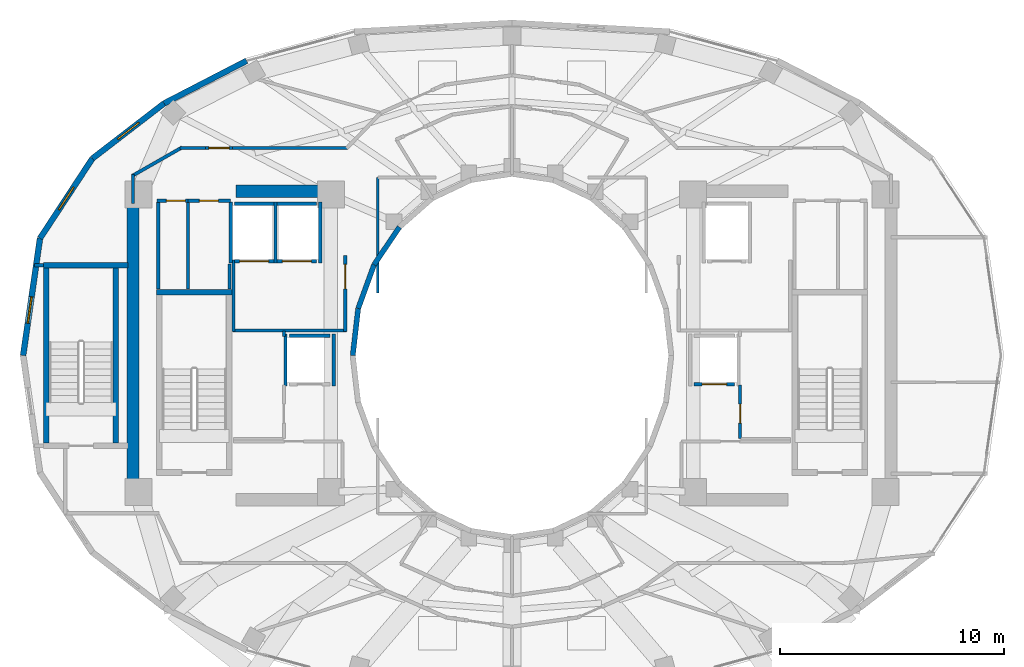
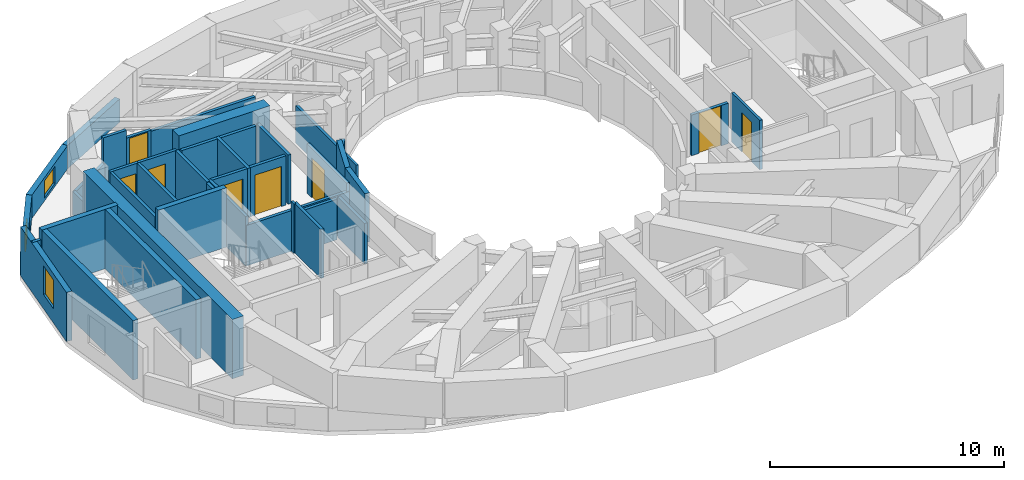
# One storey, part 13 of 19: 41 walls, 8 doors, 3 windows, 11 openings.
"""IFC4 building model written with IfcOpenShell, lengths in metres."""

from ifc_helpers import new_model, si_unit, direction, frame, frame_2d, origin, place, context, subcontext, project, spatial, rectangle, extrude, material, layer, layer_set, type_object, element, fill, save


model = new_model("IFC4")

# Units and contexts
model_context = context("Model", 3, precision=1e-05, world=origin(), true_north=direction((0.0, 1.0)))
body_context = subcontext(model_context, "Body", "Model", "MODEL_VIEW")
ifc_project = project(units=[si_unit("LENGTHUNIT", "METRE"), si_unit("AREAUNIT", "SQUARE_METRE"), si_unit("VOLUMEUNIT", "CUBIC_METRE"), si_unit("PLANEANGLEUNIT", "RADIAN"), si_unit("MASSUNIT", "GRAM", prefix="KILO")], contexts=[model_context])

# Site, building, storey
site_placement = place(None, origin())
site = spatial("IfcSite", under=ifc_project, at=site_placement, CompositionType="ELEMENT")
building_placement = place(site_placement, origin())
building = spatial("IfcBuilding", under=site, at=building_placement, Name="Solvane Sanctuary Tower", CompositionType="ELEMENT")
storey_placement = place(building_placement, frame((0.0, 0.0, 207.800048828125)))
storey = spatial("IfcBuildingStorey", under=building, at=storey_placement, Name="L63", CompositionType="ELEMENT", Elevation=207.800048828125)

# Walls
ifc_material_1 = material(Name="Concrete C50/60", Category="concrete")
ifc_layer_1 = layer(ifc_material_1, 0.550048828125, Name="Concrete C50/60")
ifc_layer_set_1 = layer_set([ifc_layer_1], Name="Concrete C50/60")
wall_type_1 = type_object("IfcWallType", Name="Wall W-CORE-550", PredefinedType="SHEAR", material=ifc_layer_set_1)
wall_1_placement = place(storey_placement, frame((15.050048828125, 17.050048828125, 0.0), z_axis=(0.0, 0.0, 1.0), x_axis=(0.0, 1.0, 0.0)))
element("IfcWall", 1, at=wall_1_placement, inside=storey, type_object=wall_type_1, Name="L63 Core Shear Wall WC-W", PredefinedType="SHEAR", context=body_context, shape_type="SweptSolid", body=[
    extrude(rectangle(XDim=12.800048828125, YDim=0.550048828125, at=frame_2d((6.39990234375, 0.0))), origin(), (0.0, 0.0, 1.0), 3.099853515625),
])
wall_2_placement = place(storey_placement, frame((19.64990234375, 30.35009765625, 0.0), z_axis=(0.0, 0.0, 1.0), x_axis=(1.0, 0.0, 0.0)))
element("IfcWall", 2, at=wall_2_placement, inside=storey, type_object=wall_type_1, Name="L63 Core Shear Wall WC-N", PredefinedType="SHEAR", context=body_context, shape_type="SweptSolid", body=[
    extrude(rectangle(XDim=4.5, YDim=0.550048828125, at=frame_2d((2.25, 0.0))), origin(), (0.0, 0.0, 1.0), 3.099853515625),
])
ifc_material_2 = material(Name="Acoustic Gypsum Partition Board")
ifc_layer_2 = layer(ifc_material_2, 0.14990234375, Name="Acoustic Gypsum Partition Board")
ifc_layer_set_2 = layer_set([ifc_layer_2], Name="Acoustic Gypsum Partition Board")
wall_type_2 = type_object("IfcWallType", Name="Wall W-CORR-150", PredefinedType="PARTITIONING", material=ifc_layer_set_2)
wall_3_placement = place(storey_placement, frame((19.52001953125, 24.1201171875, 0.0), z_axis=(0.0, 0.0, 1.0), x_axis=(1.0, 0.0, 0.0)))
element("IfcWall", 3, at=wall_3_placement, inside=storey, type_object=wall_type_2, Name="L63 West Firefighting Lobby South Wall", PredefinedType="PARTITIONING", context=body_context, shape_type="SweptSolid", body=[
    extrude(rectangle(XDim=5.080078125, YDim=0.14990234375, at=frame_2d((2.5400390625, 0.0))), origin(), (0.0, 0.0, 1.0), 2.119873046875),
])
wall_4_placement = place(storey_placement, frame((19.550048828125, 24.080078125, 0.0), z_axis=(0.0, 0.0, 1.0), x_axis=(0.0, 1.0, 0.0)))
element("IfcWall", 4, at=wall_4_placement, inside=storey, type_object=wall_type_2, Name="L63 West Firefighting Lobby West Wall", PredefinedType="PARTITIONING", context=body_context, shape_type="SweptSolid", body=[
    extrude(rectangle(XDim=3.199951171875, YDim=0.14990234375, at=frame_2d((1.60009765625, 0.0))), origin(), (0.0, 0.0, 1.0), 2.574951171875),
])

# Wall, opening, door
wall_5_placement = place(storey_placement, frame((24.550048828125, 24.080078125, 0.0), z_axis=(0.0, 0.0, 1.0), x_axis=(0.0, 1.0, 0.0)))
wall_5 = element("IfcWall", 5, at=wall_5_placement, inside=storey, type_object=wall_type_2, Name="L63 West Firefighting Lobby East Wall", PredefinedType="PARTITIONING", context=body_context, shape_type="SweptSolid", body=[
    extrude(rectangle(XDim=3.39990234375, YDim=0.14990234375, at=frame_2d((1.699951171875, 0.0))), origin(), (0.0, 0.0, 1.0), 2.574951171875),
])
opening_1_placement = place(wall_5_placement, frame((1.893798828125, 0.0, 0.0)))
opening_1 = element("IfcOpeningElement", 6, at=opening_1_placement, cuts=wall_5, Name="Opening D-L63-04", PredefinedType="OPENING", context=body_context, shape_type="SweptSolid", body=[
    extrude(rectangle(XDim=1.10009765625, YDim=2.10009765625, at=frame_2d((0.550048828125, 1.050048828125))), frame((0.0, 0.0849609375, 0.0), z_axis=(0.0, -1.0, 0.0), x_axis=(1.0, 0.0, 0.0)), (0.0, 0.0, 1.0), 0.169921875),
])
ifc_material_3 = material(Name="Architectural Stainless Steel 316", Category="steel")
door_type_1 = type_object("IfcDoorType", Name="Door D-FFL", OperationType="NOTDEFINED", PredefinedType="DOOR", material=ifc_material_3)
door_1_placement = place(opening_1_placement, origin())
door_1 = element("IfcDoor", 7, at=door_1_placement, inside=storey, type_object=door_type_1, Name="L63 West Firefighting Lobby Fire Door", OperationType="SINGLE_SWING_RIGHT", OverallHeight=2.10009765625, OverallWidth=1.10009765625, PredefinedType="DOOR", context=body_context, shape_type="SweptSolid", body=[
    extrude(rectangle(XDim=1.10009765625, YDim=2.10009765625, at=frame_2d((0.550048828125, 1.050048828125))), frame((0.0, 0.02490234375, 0.0), z_axis=(0.0, -1.0, 0.0), x_axis=(1.0, 0.0, 0.0)), (0.0, 0.0, 1.0), 0.050048828125),
])
fill(opening_1, door_1)

# Walls
wall_6_placement = place(storey_placement, frame((10.639892578125, 27.030029296875, 0.0), z_axis=(0.0, 0.0, 1.0), x_axis=(1.0, 0.0, 0.0)))
element("IfcWall", 8, at=wall_6_placement, inside=storey, type_object=wall_type_2, Name="L63 NW Corner Closer 1", PredefinedType="PARTITIONING", context=body_context, shape_type="SweptSolid", body=[
    extrude(rectangle(XDim=0.400146484375, YDim=0.14990234375, at=frame_2d((0.2001953125, 0.0))), origin(), (0.0, 0.0, 1.0), 2.574951171875),
])
wall_7_placement = place(storey_placement, frame((15.050048828125, 29.800048828125, 0.0), z_axis=(0.0, 0.0, 1.0), x_axis=(0.0, 1.0, 0.0)))
element("IfcWall", 9, at=wall_7_placement, inside=storey, type_object=wall_type_2, Name="L63 NW Corner Closer 2", PredefinedType="PARTITIONING", context=body_context, shape_type="SweptSolid", body=[
    extrude(rectangle(XDim=1.2900390625, YDim=0.14990234375, at=frame_2d((0.64501953125, 0.0))), origin(), (0.0, 0.0, 1.0), 1.219970703125),
])
wall_8_placement = place(storey_placement, frame((17.14990234375, 32.280029296875, 0.0), z_axis=(0.0, 0.0, 1.0), x_axis=(1.0, 0.0, 0.0)))
element("IfcWall", 10, at=wall_8_placement, inside=storey, type_object=wall_type_2, Name="L63 NW Corner Corridor Wall", PredefinedType="PARTITIONING", context=body_context, shape_type="SweptSolid", body=[
    extrude(rectangle(XDim=1.14013671875, YDim=0.14990234375, at=frame_2d((0.570068359375, 0.0))), origin(), (0.0, 0.0, 1.0), 2.574951171875),
])

# Wall, opening, door
wall_9_placement = place(storey_placement, frame((18.2900390625, 32.280029296875, 0.0), z_axis=(0.0, 0.0, 1.0), x_axis=(1.0, 0.0, 0.0)))
wall_9 = element("IfcWall", 11, at=wall_9_placement, inside=storey, type_object=wall_type_2, Name="L63 NW Corner Corridor Wall", PredefinedType="PARTITIONING", context=body_context, shape_type="SweptSolid", body=[
    extrude(rectangle(XDim=1.219970703125, YDim=0.14990234375, at=frame_2d((0.60986328125, 0.0))), origin(), (0.0, 0.0, 1.0), 2.159912109375),
])
opening_2_placement = place(wall_9_placement, frame((0.159912109375, 0.0, 0.0)))
opening_2 = element("IfcOpeningElement", 12, at=opening_2_placement, cuts=wall_9, Name="Opening D-L63-21", PredefinedType="OPENING", context=body_context, shape_type="SweptSolid", body=[
    extrude(rectangle(XDim=0.89990234375, YDim=2.10009765625, at=frame_2d((0.449951171875, 1.050048828125))), frame((0.0, 0.0849609375, 0.0), z_axis=(0.0, -1.0, 0.0), x_axis=(1.0, 0.0, 0.0)), (0.0, 0.0, 1.0), 0.169921875),
])
ifc_material_4 = material(Name="Engineered Tropical Hardwood", Category="wood")
door_type_2 = type_object("IfcDoorType", Name="Door D-WET-900", OperationType="NOTDEFINED", PredefinedType="DOOR", material=ifc_material_4)
door_2_placement = place(opening_2_placement, origin())
door_2 = element("IfcDoor", 13, at=door_2_placement, inside=storey, type_object=door_type_2, Name="L63 NW Corner Salon Door", OperationType="SINGLE_SWING_LEFT", OverallHeight=2.10009765625, OverallWidth=0.89990234375, PredefinedType="DOOR", context=body_context, shape_type="SweptSolid", body=[
    extrude(rectangle(XDim=0.89990234375, YDim=2.10009765625, at=frame_2d((0.449951171875, 1.050048828125))), frame((0.0, 0.02490234375, 0.0), z_axis=(0.0, -1.0, 0.0), x_axis=(1.0, 0.0, 0.0)), (0.0, 0.0, 1.0), 0.050048828125),
])
fill(opening_2, door_2)

# Walls
wall_10_placement = place(storey_placement, frame((19.510009765625, 32.280029296875, 0.0), z_axis=(0.0, 0.0, 1.0), x_axis=(1.0, 0.0, 0.0)))
element("IfcWall", 14, at=wall_10_placement, inside=storey, type_object=wall_type_2, Name="L63 NW Corner Corridor Wall", PredefinedType="PARTITIONING", context=body_context, shape_type="SweptSolid", body=[
    extrude(rectangle(XDim=5.159912109375, YDim=0.14990234375, at=frame_2d((2.580078125, 0.0))), origin(), (0.0, 0.0, 1.0), 2.095947265625),
])
wall_11_placement = place(storey_placement, frame((17.243408203125, 32.3046875, 0.0), z_axis=(0.0, 0.0, 1.0), x_axis=(-0.867991349648, -0.496579315857, 0.0)))
element("IfcWall", 15, at=wall_11_placement, inside=storey, type_object=wall_type_2, Name="L63 NW Corner Wing Wall", PredefinedType="PARTITIONING", context=body_context, shape_type="SweptSolid", body=[
    extrude(rectangle(XDim=2.56689453125, YDim=0.14990234375, at=frame_2d((1.283447265625, 0.0))), origin(), (0.0, 0.0, 1.0), 1.219970703125),
])
ifc_material_5 = material(Name="Precast concrete C40/50", Category="concrete")
ifc_layer_3 = layer(ifc_material_5, 0.260009765625, Name="Precast concrete C40/50")
ifc_layer_set_3 = layer_set([ifc_layer_3], Name="Precast concrete C40/50")
wall_type_3 = type_object("IfcWallType", Name="Wall W-EXT-250", PredefinedType="STANDARD", material=ifc_layer_set_3)
wall_12_placement = place(storey_placement, frame((20.1298828125, 36.177001953125, 0.0), z_axis=(0.0, 0.0, 1.0), x_axis=(-0.88849146803, -0.458893137057, 0.0)))
element("IfcWall", 16, at=wall_12_placement, inside=storey, type_object=wall_type_3, Name="L63 Ceramic-Printed Facade Wall 08", PredefinedType="STANDARD", context=body_context, shape_type="SweptSolid", body=[
    extrude(rectangle(XDim=4.150390625, YDim=0.260009765625, at=frame_2d((2.0751953125, 0.0))), origin(), (0.0, 0.0, 1.0), 1.219970703125),
])

# Wall, opening, window
wall_13_placement = place(storey_placement, frame((16.4423828125, 34.2724609375, 0.0), z_axis=(0.0, 0.0, 1.0), x_axis=(-0.792713817907, -0.609593965603, 0.0)))
wall_13 = element("IfcWall", 17, at=wall_13_placement, inside=storey, type_object=wall_type_3, Name="L63 Ceramic-Printed Facade Wall 09", PredefinedType="STANDARD", context=body_context, shape_type="SweptSolid", body=[
    extrude(rectangle(XDim=4.041015625, YDim=0.260009765625, at=frame_2d((2.0205078125, 0.0))), origin(), (0.0, 0.0, 1.0), 1.219970703125),
])
opening_3_placement = place(wall_13_placement, frame((1.42041015625, 0.0, 0.14990234375)))
opening_3 = element("IfcOpeningElement", 18, at=opening_3_placement, cuts=wall_13, Name="Opening WN-OPER-1200", PredefinedType="OPENING", context=body_context, shape_type="SweptSolid", body=[
    extrude(rectangle(XDim=1.199951171875, YDim=0.89990234375, at=frame_2d((0.60009765625, 0.449951171875))), frame((0.0, 0.139892578125, 0.0), z_axis=(0.0, -1.0, 0.0), x_axis=(1.0, 0.0, 0.0)), (0.0, 0.0, 1.0), 0.280029296875),
])
ifc_material_6 = material(Name="Dark Ceramic-Fritted Low-E Glass", Category="glass")
window_type = type_object("IfcWindowType", Name="Window WN-OPER-1200", PartitioningType="SINGLE_PANEL", PredefinedType="WINDOW", material=ifc_material_6)
window_1_placement = place(opening_3_placement, origin())
window_1 = element("IfcWindow", 19, at=window_1_placement, inside=storey, type_object=window_type, Name="L63 Operable Facade Window 09", OverallHeight=0.89990234375, OverallWidth=1.199951171875, PartitioningType="SINGLE_PANEL", PredefinedType="WINDOW", context=body_context, shape_type="SweptSolid", body=[
    extrude(rectangle(XDim=1.199951171875, YDim=0.89990234375, at=frame_2d((0.60009765625, 0.449951171875))), frame((0.0, 0.030029296875, 0.0), z_axis=(0.0, -1.0, 0.0), x_axis=(1.0, 0.0, 0.0)), (0.0, 0.0, 1.0), 0.06005859375),
])
fill(opening_3, window_1)

wall_14_placement = place(storey_placement, frame((13.239013671875, 31.80908203125, 0.0), z_axis=(0.0, 0.0, 1.0), x_axis=(-0.548776305075, -0.835969238064, 0.0)))
wall_14 = element("IfcWall", 20, at=wall_14_placement, inside=storey, type_object=wall_type_3, Name="L63 Ceramic-Printed Facade Wall 10", PredefinedType="STANDARD", context=body_context, shape_type="SweptSolid", body=[
    extrude(rectangle(XDim=4.270751953125, YDim=0.260009765625, at=frame_2d((2.13525390625, 0.0))), origin(), (0.0, 0.0, 1.0), 1.219970703125),
])
opening_4_placement = place(wall_14_placement, frame((1.535400390625, 0.0, 0.14990234375)))
opening_4 = element("IfcOpeningElement", 21, at=opening_4_placement, cuts=wall_14, Name="Opening WN-OPER-1200", PredefinedType="OPENING", context=body_context, shape_type="SweptSolid", body=[
    extrude(rectangle(XDim=1.199951171875, YDim=0.89990234375, at=frame_2d((0.60009765625, 0.449951171875))), frame((0.0, 0.139892578125, 0.0), z_axis=(0.0, -1.0, 0.0), x_axis=(1.0, 0.0, 0.0)), (0.0, 0.0, 1.0), 0.280029296875),
])
window_2_placement = place(opening_4_placement, origin())
window_2 = element("IfcWindow", 22, at=window_2_placement, inside=storey, type_object=window_type, Name="L63 Operable Facade Window 10", OverallHeight=0.89990234375, OverallWidth=1.199951171875, PartitioningType="SINGLE_PANEL", PredefinedType="WINDOW", context=body_context, shape_type="SweptSolid", body=[
    extrude(rectangle(XDim=1.199951171875, YDim=0.89990234375, at=frame_2d((0.60009765625, 0.449951171875))), frame((0.0, 0.030029296875, 0.0), z_axis=(0.0, -1.0, 0.0), x_axis=(1.0, 0.0, 0.0)), (0.0, 0.0, 1.0), 0.06005859375),
])
fill(opening_4, window_2)

wall_15_placement = place(storey_placement, frame((10.895263671875, 28.23876953125, 0.0), z_axis=(0.0, 0.0, 1.0), x_axis=(-0.142712754019, -0.989764148593, 0.0)))
wall_15 = element("IfcWall", 23, at=wall_15_placement, inside=storey, type_object=wall_type_3, Name="L63 Ceramic-Printed Facade Wall 11", PredefinedType="STANDARD", context=body_context, shape_type="SweptSolid", body=[
    extrude(rectangle(XDim=5.29296875, YDim=0.260009765625, at=frame_2d((2.646484375, 0.0))), origin(), (0.0, 0.0, 1.0), 2.570068359375),
])
opening_5_placement = place(wall_15_placement, frame((2.635009765625, 0.0, 0.75)))
opening_5 = element("IfcOpeningElement", 24, at=opening_5_placement, cuts=wall_15, Name="Opening WN-OPER-1200", PredefinedType="OPENING", context=body_context, shape_type="SweptSolid", body=[
    extrude(rectangle(XDim=1.199951171875, YDim=1.5, at=frame_2d((0.60009765625, 0.75))), frame((0.0, 0.139892578125, 0.0), z_axis=(0.0, -1.0, 0.0), x_axis=(1.0, 0.0, 0.0)), (0.0, 0.0, 1.0), 0.280029296875),
])
window_3_placement = place(opening_5_placement, origin())
window_3 = element("IfcWindow", 25, at=window_3_placement, inside=storey, type_object=window_type, Name="L63 Operable Facade Window 11", OverallHeight=1.5, OverallWidth=1.199951171875, PartitioningType="SINGLE_PANEL", PredefinedType="WINDOW", context=body_context, shape_type="SweptSolid", body=[
    extrude(rectangle(XDim=1.199951171875, YDim=1.5, at=frame_2d((0.60009765625, 0.75))), frame((0.0, 0.030029296875, 0.0), z_axis=(0.0, -1.0, 0.0), x_axis=(1.0, 0.0, 0.0)), (0.0, 0.0, 1.0), 0.06005859375),
])
fill(opening_5, window_3)

# Walls
ifc_layer_4 = layer(ifc_material_5, 0.22998046875, Name="Precast concrete C40/50")
ifc_layer_set_4 = layer_set([ifc_layer_4], Name="Precast concrete C40/50")
wall_type_4 = type_object("IfcWallType", Name="Wall W-EXT-SP220", PredefinedType="STANDARD", material=ifc_layer_set_4)
wall_16_placement = place(storey_placement, frame((26.96533203125, 28.74169921875, 0.0), z_axis=(0.0, 0.0, 1.0), x_axis=(-0.558197800898, -0.829707909492, 0.0)))
element("IfcWall", 26, at=wall_16_placement, inside=storey, type_object=wall_type_4, Name="L63 Central Light-Well Wall 09", PredefinedType="STANDARD", context=body_context, shape_type="SweptSolid", body=[
    extrude(rectangle(XDim=2.02685546875, YDim=0.22998046875, at=frame_2d((1.013427734375, 0.0))), origin(), (0.0, 0.0, 1.0), 1.219970703125),
])
wall_17_placement = place(storey_placement, frame((25.833984375, 27.06005859375, 0.0), z_axis=(0.0, 0.0, 1.0), x_axis=(-0.341423187295, -0.93990968033, 0.0)))
element("IfcWall", 27, at=wall_17_placement, inside=storey, type_object=wall_type_4, Name="L63 Central Light-Well Wall 10", PredefinedType="STANDARD", context=body_context, shape_type="SweptSolid", body=[
    extrude(rectangle(XDim=2.083740234375, YDim=0.22998046875, at=frame_2d((1.0419921875, 0.0))), origin(), (0.0, 0.0, 1.0), 2.56005859375),
])
wall_18_placement = place(storey_placement, frame((25.12255859375, 25.1015625, 0.0), z_axis=(0.0, 0.0, 1.0), x_axis=(-0.114711713601, -0.993398823617, 0.0)))
element("IfcWall", 28, at=wall_18_placement, inside=storey, type_object=wall_type_4, Name="L63 Central Light-Well Wall 11", PredefinedType="STANDARD", context=body_context, shape_type="SweptSolid", body=[
    extrude(rectangle(XDim=2.115478515625, YDim=0.22998046875, at=frame_2d((1.0576171875, 0.0))), origin(), (0.0, 0.0, 1.0), 2.56005859375),
])
ifc_layer_5 = layer(ifc_material_2, 0.125, Name="Acoustic Gypsum Partition Board")
ifc_layer_set_5 = layer_set([ifc_layer_5], Name="Acoustic Gypsum Partition Board")
wall_type_5 = type_object("IfcWallType", Name="Wall W-PART-125", PredefinedType="PARTITIONING", material=ifc_layer_set_5)
wall_19_placement = place(storey_placement, frame((21.800048828125, 23.85009765625, 0.0), z_axis=(0.0, 0.0, 1.0), x_axis=(0.0, 1.0, 0.0)))
element("IfcWall", 29, at=wall_19_placement, inside=storey, type_object=wall_type_5, Name="L63 Reclaimed Room Dividing Wall PMW", PredefinedType="PARTITIONING", context=body_context, shape_type="SweptSolid", body=[
    extrude(rectangle(XDim=0.25, YDim=0.125, at=frame_2d((0.125, 0.0))), origin(), (0.0, 0.0, 1.0), 2.574951171875),
])

# Wall, opening, door
wall_20_placement = place(storey_placement, frame((42.199951171875, 19.280029296875, 0.0), z_axis=(0.0, 0.0, 1.0), x_axis=(0.0, 1.0, 0.0)))
wall_20 = element("IfcWall", 30, at=wall_20_placement, inside=storey, type_object=wall_type_5, Name="L63 Reclaimed Room Partition PME", PredefinedType="PARTITIONING", context=body_context, shape_type="SweptSolid", body=[
    extrude(rectangle(XDim=2.39990234375, YDim=0.125, at=frame_2d((1.199951171875, 0.0))), origin(), (0.0, 0.0, 1.0), 2.574951171875),
])
opening_6_placement = place(wall_20_placement, frame((0.699951171875, 0.0, 0.0)))
opening_6 = element("IfcOpeningElement", 31, at=opening_6_placement, cuts=wall_20, Name="Opening D-L63-09", PredefinedType="OPENING", context=body_context, shape_type="SweptSolid", body=[
    extrude(rectangle(XDim=0.85009765625, YDim=2.050048828125, at=frame_2d((0.425048828125, 1.02490234375))), frame((0.0, 0.072509765625, 0.0), z_axis=(0.0, -1.0, 0.0), x_axis=(1.0, 0.0, 0.0)), (0.0, 0.0, 1.0), 0.14501953125),
])
door_type_3 = type_object("IfcDoorType", Name="Door D-RISER", OperationType="NOTDEFINED", PredefinedType="DOOR", material=ifc_material_3)
door_3_placement = place(opening_6_placement, origin())
door_3 = element("IfcDoor", 32, at=door_3_placement, inside=storey, type_object=door_type_3, Name="L63 Reclaimed Room Door PME-1", OperationType="SINGLE_SWING_LEFT", OverallHeight=2.050048828125, OverallWidth=0.85009765625, PredefinedType="DOOR", context=body_context, shape_type="SweptSolid", body=[
    extrude(rectangle(XDim=0.85009765625, YDim=2.050048828125, at=frame_2d((0.425048828125, 1.02490234375))), frame((0.0, 0.02490234375, 0.0), z_axis=(0.0, -1.0, 0.0), x_axis=(1.0, 0.0, 0.0)), (0.0, 0.0, 1.0), 0.050048828125),
])
fill(opening_6, door_3)

# Walls
wall_21_placement = place(storey_placement, frame((26.0, 25.800048828125, 0.0), z_axis=(0.0, 0.0, 1.0), x_axis=(0.0, 1.0, 0.0)))
element("IfcWall", 33, at=wall_21_placement, inside=storey, type_object=wall_type_5, Name="L63 Bridge Alcove Wall 1", PredefinedType="PARTITIONING", context=body_context, shape_type="SweptSolid", body=[
    extrude(rectangle(XDim=5.159912109375, YDim=0.125, at=frame_2d((2.580078125, 0.0))), origin(), (0.0, 0.0, 1.0), 1.951904296875),
])
ifc_layer_6 = layer(ifc_material_1, 0.14990234375, Name="Concrete C50/60")
ifc_layer_set_6 = layer_set([ifc_layer_6], Name="Concrete C50/60")
wall_type_6 = type_object("IfcWallType", Name="Wall W-SHAFT-150", PredefinedType="SOLIDWALL", material=ifc_layer_set_6)
wall_22_placement = place(storey_placement, frame((22.0400390625, 23.8798828125, 0.0), z_axis=(0.0, 0.0, 1.0), x_axis=(1.0, 0.0, 0.0)))
element("IfcWall", 34, at=wall_22_placement, inside=storey, type_object=wall_type_6, Name="L63 PH-1 Lift Shaft Wall B", PredefinedType="SOLIDWALL", context=body_context, shape_type="SweptSolid", body=[
    extrude(rectangle(XDim=1.820068359375, YDim=0.14990234375, at=frame_2d((0.91015625, 0.0))), origin(), (0.0, 0.0, 1.0), 2.119873046875),
])
wall_23_placement = place(storey_placement, frame((21.8701171875, 21.639892578125, 0.0), z_axis=(0.0, 0.0, 1.0), x_axis=(0.0, 1.0, 0.0)))
element("IfcWall", 35, at=wall_23_placement, inside=storey, type_object=wall_type_6, Name="L63 PH-1 Lift Shaft Wall S1", PredefinedType="SOLIDWALL", context=body_context, shape_type="SweptSolid", body=[
    extrude(rectangle(XDim=2.320068359375, YDim=0.14990234375, at=frame_2d((1.16015625, 0.0))), origin(), (0.0, 0.0, 1.0), 2.574951171875),
])
wall_24_placement = place(storey_placement, frame((24.030029296875, 21.639892578125, 0.0), z_axis=(0.0, 0.0, 1.0), x_axis=(0.0, 1.0, 0.0)))
element("IfcWall", 36, at=wall_24_placement, inside=storey, type_object=wall_type_6, Name="L63 PH-1 Lift Shaft Wall S2", PredefinedType="SOLIDWALL", context=body_context, shape_type="SweptSolid", body=[
    extrude(rectangle(XDim=2.320068359375, YDim=0.14990234375, at=frame_2d((1.16015625, 0.0))), origin(), (0.0, 0.0, 1.0), 2.119873046875),
])

# Wall, opening, door
wall_25_placement = place(storey_placement, frame((40.139892578125, 21.719970703125, 0.0), z_axis=(0.0, 0.0, 1.0), x_axis=(1.0, 0.0, 0.0)))
wall_25 = element("IfcWall", 37, at=wall_25_placement, inside=storey, type_object=wall_type_6, Name="L63 PH-2 Lift Shaft Wall F", PredefinedType="SOLIDWALL", context=body_context, shape_type="SweptSolid", body=[
    extrude(rectangle(XDim=1.820068359375, YDim=0.14990234375, at=frame_2d((0.91015625, 0.0))), origin(), (0.0, 0.0, 1.0), 2.119873046875),
])
opening_7_placement = place(wall_25_placement, frame((0.360107421875, 0.0, 0.0)))
opening_7 = element("IfcOpeningElement", 38, at=opening_7_placement, cuts=wall_25, Name="Opening LD-L63-02", PredefinedType="OPENING", context=body_context, shape_type="SweptSolid", body=[
    extrude(rectangle(XDim=1.10009765625, YDim=2.10009765625, at=frame_2d((0.550048828125, 1.050048828125))), frame((0.0, 0.0849609375, 0.0), z_axis=(0.0, -1.0, 0.0), x_axis=(1.0, 0.0, 0.0)), (0.0, 0.0, 1.0), 0.169921875),
])
door_type_4 = type_object("IfcDoorType", Name="Door LD-PASS-1100", OperationType="NOTDEFINED", PredefinedType="DOOR", material=ifc_material_3)
door_4_placement = place(opening_7_placement, origin())
door_4 = element("IfcDoor", 39, at=door_4_placement, inside=storey, type_object=door_type_4, Name="L63 PH-2 Lift Landing Door", OperationType="DOUBLE_DOOR_SLIDING", OverallHeight=2.10009765625, OverallWidth=1.10009765625, PredefinedType="DOOR", context=body_context, shape_type="SweptSolid", body=[
    extrude(rectangle(XDim=1.10009765625, YDim=2.10009765625, at=frame_2d((0.550048828125, 1.050048828125))), frame((0.0, 0.02490234375, 0.0), z_axis=(0.0, -1.0, 0.0), x_axis=(1.0, 0.0, 0.0)), (0.0, 0.0, 1.0), 0.050048828125),
])
fill(opening_7, door_4)

wall_26_placement = place(storey_placement, frame((19.590087890625, 27.219970703125, 0.0), z_axis=(0.0, 0.0, 1.0), x_axis=(1.0, 0.0, 0.0)))
wall_26 = element("IfcWall", 40, at=wall_26_placement, inside=storey, type_object=wall_type_6, Name="L63 FFL-1 Lift Shaft Wall F", PredefinedType="SOLIDWALL", context=body_context, shape_type="SweptSolid", body=[
    extrude(rectangle(XDim=1.760009765625, YDim=0.14990234375, at=frame_2d((0.8798828125, 0.0))), origin(), (0.0, 0.0, 1.0), 2.574951171875),
])
opening_8_placement = place(wall_26_placement, frame((0.22998046875, 0.0, 0.0)))
opening_8 = element("IfcOpeningElement", 41, at=opening_8_placement, cuts=wall_26, Name="Opening LD-L63-03", PredefinedType="OPENING", context=body_context, shape_type="SweptSolid", body=[
    extrude(rectangle(XDim=1.300048828125, YDim=2.10009765625, at=frame_2d((0.64990234375, 1.050048828125))), frame((0.0, 0.0849609375, 0.0), z_axis=(0.0, -1.0, 0.0), x_axis=(1.0, 0.0, 0.0)), (0.0, 0.0, 1.0), 0.169921875),
])
door_type_5 = type_object("IfcDoorType", Name="Door LD-FFL-1300", OperationType="NOTDEFINED", PredefinedType="DOOR", material=ifc_material_3)
door_5_placement = place(opening_8_placement, origin())
door_5 = element("IfcDoor", 42, at=door_5_placement, inside=storey, type_object=door_type_5, Name="L63 FFL-1 Lift Landing Door", OperationType="DOUBLE_DOOR_SLIDING", OverallHeight=2.10009765625, OverallWidth=1.300048828125, PredefinedType="DOOR", context=body_context, shape_type="SweptSolid", body=[
    extrude(rectangle(XDim=1.300048828125, YDim=2.10009765625, at=frame_2d((0.64990234375, 1.050048828125))), frame((0.0, 0.02490234375, 0.0), z_axis=(0.0, -1.0, 0.0), x_axis=(1.0, 0.0, 0.0)), (0.0, 0.0, 1.0), 0.050048828125),
])
fill(opening_8, door_5)

# Walls
wall_27_placement = place(storey_placement, frame((19.590087890625, 29.780029296875, 0.0), z_axis=(0.0, 0.0, 1.0), x_axis=(1.0, 0.0, 0.0)))
element("IfcWall", 43, at=wall_27_placement, inside=storey, type_object=wall_type_6, Name="L63 FFL-1 Lift Shaft Wall B", PredefinedType="SOLIDWALL", context=body_context, shape_type="SweptSolid", body=[
    extrude(rectangle(XDim=1.760009765625, YDim=0.14990234375, at=frame_2d((0.8798828125, 0.0))), origin(), (0.0, 0.0, 1.0), 2.574951171875),
])
for number, where, z_axis, x_axis, name in (
    (44, (19.419921875, 27.139892578125, 0.0), (0.0, 0.0, 1.0), (0.0, 1.0, 0.0), "L63 FFL-1 Lift Shaft Wall S1"),
    (45, (21.425048828125, 27.139892578125, 0.0), (0.0, 0.0, 1.0), (0.0, 1.0, 0.0), "L63 FFL-1 Lift Shaft Wall S2"),
):
    element("IfcWall", number, at=place(storey_placement, frame(where, z_axis=z_axis, x_axis=x_axis)), inside=storey, type_object=wall_type_6, Name=name, PredefinedType="SOLIDWALL", context=body_context, shape_type="SweptSolid", body=[
        extrude(rectangle(XDim=2.72021484375, YDim=0.14990234375, at=frame_2d((1.360107421875, 0.0))), origin(), (0.0, 0.0, 1.0), 2.574951171875),
    ])

# Wall, opening, door
wall_28_placement = place(storey_placement, frame((21.5, 27.219970703125, 0.0), z_axis=(0.0, 0.0, 1.0), x_axis=(1.0, 0.0, 0.0)))
wall_28 = element("IfcWall", 46, at=wall_28_placement, inside=storey, type_object=wall_type_6, Name="L63 SVL-1 Lift Shaft Wall F", PredefinedType="SOLIDWALL", context=body_context, shape_type="SweptSolid", body=[
    extrude(rectangle(XDim=1.760009765625, YDim=0.14990234375, at=frame_2d((0.8798828125, 0.0))), origin(), (0.0, 0.0, 1.0), 2.574951171875),
])
opening_9_placement = place(wall_28_placement, frame((0.22998046875, 0.0, 0.0)))
opening_9 = element("IfcOpeningElement", 47, at=opening_9_placement, cuts=wall_28, Name="Opening LD-L63-04", PredefinedType="OPENING", context=body_context, shape_type="SweptSolid", body=[
    extrude(rectangle(XDim=1.300048828125, YDim=2.10009765625, at=frame_2d((0.64990234375, 1.050048828125))), frame((0.0, 0.0849609375, 0.0), z_axis=(0.0, -1.0, 0.0), x_axis=(1.0, 0.0, 0.0)), (0.0, 0.0, 1.0), 0.169921875),
])
door_6_placement = place(opening_9_placement, origin())
door_6 = element("IfcDoor", 48, at=door_6_placement, inside=storey, type_object=door_type_5, Name="L63 SVL-1 Lift Landing Door", OperationType="DOUBLE_DOOR_SLIDING", OverallHeight=2.10009765625, OverallWidth=1.300048828125, PredefinedType="DOOR", context=body_context, shape_type="SweptSolid", body=[
    extrude(rectangle(XDim=1.300048828125, YDim=2.10009765625, at=frame_2d((0.64990234375, 1.050048828125))), frame((0.0, 0.02490234375, 0.0), z_axis=(0.0, -1.0, 0.0), x_axis=(1.0, 0.0, 0.0)), (0.0, 0.0, 1.0), 0.050048828125),
])
fill(opening_9, door_6)

# Walls
wall_29_placement = place(storey_placement, frame((21.5, 29.780029296875, 0.0), z_axis=(0.0, 0.0, 1.0), x_axis=(1.0, 0.0, 0.0)))
element("IfcWall", 49, at=wall_29_placement, inside=storey, type_object=wall_type_6, Name="L63 SVL-1 Lift Shaft Wall B", PredefinedType="SOLIDWALL", context=body_context, shape_type="SweptSolid", body=[
    extrude(rectangle(XDim=1.760009765625, YDim=0.14990234375, at=frame_2d((0.8798828125, 0.0))), origin(), (0.0, 0.0, 1.0), 2.574951171875),
])
wall_30_placement = place(storey_placement, frame((23.429931640625, 27.139892578125, 0.0), z_axis=(0.0, 0.0, 1.0), x_axis=(0.0, 1.0, 0.0)))
element("IfcWall", 50, at=wall_30_placement, inside=storey, type_object=wall_type_6, Name="L63 SVL-1 Lift Shaft Wall S2", PredefinedType="SOLIDWALL", context=body_context, shape_type="SweptSolid", body=[
    extrude(rectangle(XDim=2.72021484375, YDim=0.14990234375, at=frame_2d((1.360107421875, 0.0))), origin(), (0.0, 0.0, 1.0), 2.574951171875),
])
ifc_layer_7 = layer(ifc_material_1, 0.25, Name="Concrete C50/60")
ifc_layer_set_7 = layer_set([ifc_layer_7], Name="Concrete C50/60")
wall_type_7 = type_object("IfcWallType", Name="Wall W-SHAFT-250", PredefinedType="SOLIDWALL", material=ifc_layer_set_7)
wall_31_placement = place(storey_placement, frame((16.10498046875, 25.830078125, 0.0), z_axis=(0.0, 0.0, 1.0), x_axis=(1.0, 0.0, 0.0)))
element("IfcWall", 51, at=wall_31_placement, inside=storey, type_object=wall_type_7, Name="L63 ST-1 Load-Bearing Shaft Wall N", PredefinedType="SOLIDWALL", context=body_context, shape_type="SweptSolid", body=[
    extrude(rectangle(XDim=3.3701171875, YDim=0.25, at=frame_2d((1.68505859375, 0.0))), origin(), (0.0, 0.0, 1.0), 3.099853515625),
])
wall_32_placement = place(storey_placement, frame((11.044921875, 27.030029296875, 0.0), z_axis=(0.0, 0.0, 1.0), x_axis=(1.0, 0.0, 0.0)))
element("IfcWall", 52, at=wall_32_placement, inside=storey, type_object=wall_type_7, Name="L63 ST-3 Load-Bearing Shaft Wall N", PredefinedType="SOLIDWALL", context=body_context, shape_type="SweptSolid", body=[
    extrude(rectangle(XDim=3.781982421875, YDim=0.25, at=frame_2d((1.89111328125, 0.0))), origin(), (0.0, 0.0, 1.0), 3.099853515625),
])
for number, where, z_axis, x_axis, name in (
    (53, (11.169921875, 19.094970703125, 0.0), (0.0, 0.0, 1.0), (0.0, 1.0, 0.0), "L63 ST-3 Load-Bearing Shaft Wall W"),
    (54, (14.2900390625, 19.094970703125, 0.0), (0.0, 0.0, 1.0), (0.0, 1.0, 0.0), "L63 ST-3 Load-Bearing Shaft Wall E"),
):
    element("IfcWall", number, at=place(storey_placement, frame(where, z_axis=z_axis, x_axis=x_axis)), inside=storey, type_object=wall_type_7, Name=name, PredefinedType="SOLIDWALL", context=body_context, shape_type="SweptSolid", body=[
        extrude(rectangle(XDim=7.81005859375, YDim=0.25, at=frame_2d((3.905029296875, 0.0))), origin(), (0.0, 0.0, 1.0), 3.099853515625),
    ])

# Wall, opening, door
ifc_layer_8 = layer(ifc_material_2, 0.139892578125, Name="Acoustic Gypsum Partition Board")
ifc_layer_set_8 = layer_set([ifc_layer_8], Name="Acoustic Gypsum Partition Board")
wall_type_8 = type_object("IfcWallType", Name="Wall W-WET-140", PredefinedType="PLUMBINGWALL", material=ifc_layer_set_8)
wall_33_placement = place(storey_placement, frame((16.1201171875, 29.919921875, 0.0), z_axis=(0.0, 0.0, 1.0), x_axis=(1.0, 0.0, 0.0)))
wall_33 = element("IfcWall", 55, at=wall_33_placement, inside=storey, type_object=wall_type_8, Name="L63 Core Service Front Wall KW1", PredefinedType="PLUMBINGWALL", context=body_context, shape_type="SweptSolid", body=[
    extrude(rectangle(XDim=1.39990234375, YDim=0.139892578125, at=frame_2d((0.699951171875, 0.0))), origin(), (0.0, 0.0, 1.0), 2.574951171875),
])
opening_10_placement = place(wall_33_placement, frame((0.429931640625, 0.0, 0.0)))
opening_10 = element("IfcOpeningElement", 56, at=opening_10_placement, cuts=wall_33, Name="Opening D-L63-10", PredefinedType="OPENING", context=body_context, shape_type="SweptSolid", body=[
    extrude(rectangle(XDim=0.85009765625, YDim=2.050048828125, at=frame_2d((0.425048828125, 1.02490234375))), frame((0.0, 0.079833984375, 0.0), z_axis=(0.0, -1.0, 0.0), x_axis=(1.0, 0.0, 0.0)), (0.0, 0.0, 1.0), 0.159912109375),
])
door_7_placement = place(opening_10_placement, origin())
door_7 = element("IfcDoor", 57, at=door_7_placement, inside=storey, type_object=door_type_3, Name="L63 Core Service Room Door KW1-1", OperationType="SINGLE_SWING_RIGHT", OverallHeight=2.050048828125, OverallWidth=0.85009765625, PredefinedType="DOOR", context=body_context, shape_type="SweptSolid", body=[
    extrude(rectangle(XDim=0.85009765625, YDim=2.050048828125, at=frame_2d((0.425048828125, 1.02490234375))), frame((0.0, 0.02490234375, 0.0), z_axis=(0.0, -1.0, 0.0), x_axis=(1.0, 0.0, 0.0)), (0.0, 0.0, 1.0), 0.050048828125),
])
fill(opening_10, door_7)

# Walls
for number, where, z_axis, x_axis, name in (
    (58, (16.179931640625, 25.97998046875, 0.0), (0.0, 0.0, 1.0), (0.0, 1.0, 0.0), "L63 Core Service Side Wall KW1-1"),
    (59, (17.52001953125, 25.97998046875, 0.0), (0.0, 0.0, 1.0), (0.0, 1.0, 0.0), "L63 Core Service Side Wall KW1-2"),
):
    element("IfcWall", number, at=place(storey_placement, frame(where, z_axis=z_axis, x_axis=x_axis)), inside=storey, type_object=wall_type_8, Name=name, PredefinedType="PLUMBINGWALL", context=body_context, shape_type="SweptSolid", body=[
        extrude(rectangle(XDim=3.880126953125, YDim=0.139892578125, at=frame_2d((1.93994140625, 0.0))), origin(), (0.0, 0.0, 1.0), 2.574951171875),
    ])

# Wall, opening, door
wall_34_placement = place(storey_placement, frame((17.52001953125, 29.919921875, 0.0), z_axis=(0.0, 0.0, 1.0), x_axis=(1.0, 0.0, 0.0)))
wall_34 = element("IfcWall", 60, at=wall_34_placement, inside=storey, type_object=wall_type_8, Name="L63 Core Service Front Wall KW2", PredefinedType="PLUMBINGWALL", context=body_context, shape_type="SweptSolid", body=[
    extrude(rectangle(XDim=1.89990234375, YDim=0.139892578125, at=frame_2d((0.949951171875, 0.0))), origin(), (0.0, 0.0, 1.0), 2.574951171875),
])
opening_11_placement = place(wall_34_placement, frame((0.5, 0.0, 0.0)))
opening_11 = element("IfcOpeningElement", 61, at=opening_11_placement, cuts=wall_34, Name="Opening D-L63-11", PredefinedType="OPENING", context=body_context, shape_type="SweptSolid", body=[
    extrude(rectangle(XDim=0.85009765625, YDim=2.050048828125, at=frame_2d((0.425048828125, 1.02490234375))), frame((0.0, 0.079833984375, 0.0), z_axis=(0.0, -1.0, 0.0), x_axis=(1.0, 0.0, 0.0)), (0.0, 0.0, 1.0), 0.159912109375),
])
door_8_placement = place(opening_11_placement, origin())
door_8 = element("IfcDoor", 62, at=door_8_placement, inside=storey, type_object=door_type_3, Name="L63 Core Service Room Door KW2-1", OperationType="SINGLE_SWING_LEFT", OverallHeight=2.050048828125, OverallWidth=0.85009765625, PredefinedType="DOOR", context=body_context, shape_type="SweptSolid", body=[
    extrude(rectangle(XDim=0.85009765625, YDim=2.050048828125, at=frame_2d((0.425048828125, 1.02490234375))), frame((0.0, 0.02490234375, 0.0), z_axis=(0.0, -1.0, 0.0), x_axis=(1.0, 0.0, 0.0)), (0.0, 0.0, 1.0), 0.050048828125),
])
fill(opening_11, door_8)

# Wall
wall_35_placement = place(storey_placement, frame((19.360107421875, 25.97998046875, 0.0), z_axis=(0.0, 0.0, 1.0), x_axis=(0.0, 1.0, 0.0)))
element("IfcWall", 63, at=wall_35_placement, inside=storey, type_object=wall_type_8, Name="L63 Core Service Side Wall KW2-1", PredefinedType="PLUMBINGWALL", context=body_context, shape_type="SweptSolid", body=[
    extrude(rectangle(XDim=1.1201171875, YDim=0.139892578125, at=frame_2d((0.56005859375, 0.0))), origin(), (0.0, 0.0, 1.0), 2.574951171875),
])

save(model, "model.ifc")
